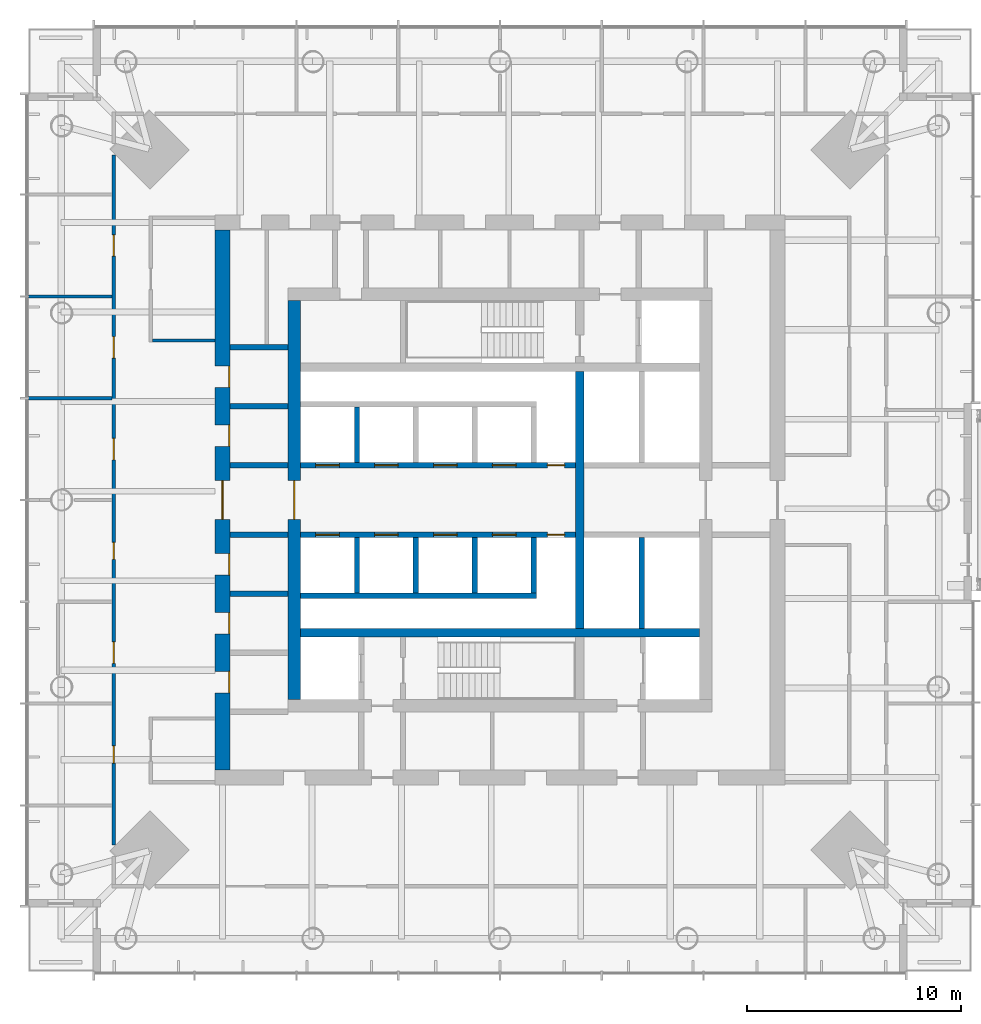
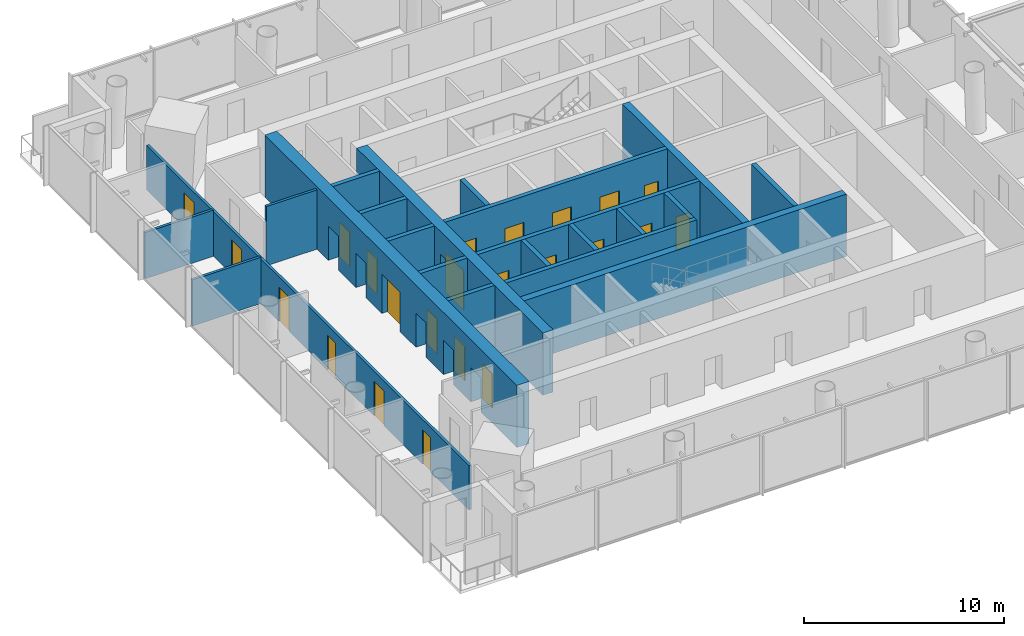
# One storey, part 13 of 19: 23 doors, 22 walls, 23 openings.
"""IFC4 building model written with IfcOpenShell, lengths in metres."""

from ifc_helpers import new_model, si_unit, direction, frame, frame_2d, origin, place, context, subcontext, project, spatial, rectangle, extrude, material, layer, layer_set, type_object, element, fill, save


model = new_model("IFC4")

# Units and contexts
model_context = context("Model", 3, precision=1e-05, world=origin(), true_north=direction((0.0, 1.0)))
body_context = subcontext(model_context, "Body", "Model", "MODEL_VIEW")
ifc_project = project(units=[si_unit("LENGTHUNIT", "METRE"), si_unit("AREAUNIT", "SQUARE_METRE"), si_unit("VOLUMEUNIT", "CUBIC_METRE"), si_unit("PLANEANGLEUNIT", "RADIAN"), si_unit("MASSUNIT", "GRAM", prefix="KILO")], contexts=[model_context])

# Site, building, storey
site_placement = place(None, origin())
site = spatial("IfcSite", under=ifc_project, at=site_placement, CompositionType="ELEMENT")
building_placement = place(site_placement, origin())
building = spatial("IfcBuilding", under=site, at=building_placement, Name="Ostroluk Exchange", CompositionType="ELEMENT")
storey_placement = place(building_placement, frame((0.0, 0.0, 131.199951171875)))
storey = spatial("IfcBuildingStorey", under=building, at=storey_placement, Name="L33", CompositionType="ELEMENT", Elevation=131.199951171875)

# Walls
ifc_material_1 = material(Name="Concrete C50/60", Category="concrete")
ifc_layer_1 = layer(ifc_material_1, 0.39990234375)
ifc_layer_set_1 = layer_set([ifc_layer_1], Name="Core cross wall 400 C50/60")
wall_type_1 = type_object("IfcWallType", Name="Core cross wall 400 C50/60", PredefinedType="SHEAR", material=ifc_layer_set_1)
wall_1_placement = place(storey_placement, frame((35.699951171875, 39.800048828125, 0.0), z_axis=(0.0, 0.0, 1.0), x_axis=(1.0, 0.0, 0.0)))
element("IfcWall", 1, at=wall_1_placement, inside=storey, type_object=wall_type_1, Name="T1 core wall XS", PredefinedType="SHEAR", context=body_context, shape_type="SweptSolid", body=[
    extrude(rectangle(XDim=18.60009765625, YDim=0.39990234375, at=frame_2d((9.300048828125, 0.0))), origin(), (0.0, 0.0, 1.0), 3.800048828125),
])
wall_2_placement = place(storey_placement, frame((48.72998046875, 40.0, 0.0), z_axis=(0.0, 0.0, 1.0), x_axis=(0.0, 1.0, 0.0)))
element("IfcWall", 2, at=wall_2_placement, inside=storey, type_object=wall_type_1, Name="T1 core wall YE2", PredefinedType="SHEAR", context=body_context, shape_type="SweptSolid", body=[
    extrude(rectangle(XDim=12.0, YDim=0.39990234375, at=frame_2d((6.0, 0.0))), origin(), (0.0, 0.0, 1.0), 3.800048828125),
])
ifc_material_2 = material(Name="Concrete C40/50", Category="concrete")
ifc_layer_2 = layer(ifc_material_2, 0.25)
ifc_layer_set_2 = layer_set([ifc_layer_2], Name="Core shaft wall 250")
wall_type_2 = type_object("IfcWallType", Name="Core shaft wall 250", PredefinedType="SHEAR", material=ifc_layer_set_2)
wall_3_placement = place(storey_placement, frame((38.324951171875, 47.75, 0.0), z_axis=(0.0, 0.0, 1.0), x_axis=(0.0, 1.0, 0.0)))
element("IfcWall", 3, at=wall_3_placement, inside=storey, type_object=wall_type_2, Name="Lift shaft wall", PredefinedType="SHEAR", context=body_context, shape_type="SweptSolid", body=[
    extrude(rectangle(XDim=2.60009765625, YDim=0.25, at=frame_2d((1.300048828125, 0.0))), origin(), (0.0, 0.0, 1.0), 3.800048828125),
])

# Wall, openings, doors
wall_4_placement = place(storey_placement, frame((35.699951171875, 47.625, 0.0), z_axis=(0.0, 0.0, 1.0), x_axis=(1.0, 0.0, 0.0)))
wall_4 = element("IfcWall", 4, at=wall_4_placement, inside=storey, type_object=wall_type_2, Name="Lift shaft front wall", PredefinedType="SHEAR", context=body_context, shape_type="SweptSolid", body=[
    extrude(rectangle(XDim=12.830078125, YDim=0.25, at=frame_2d((6.4150390625, 0.0))), origin(), (0.0, 0.0, 1.0), 3.800048828125),
])
opening_1_placement = place(wall_4_placement, frame((0.699951171875, 0.0, 0.0)))
opening_1 = element("IfcOpeningElement", 5, at=opening_1_placement, cuts=wall_4, Name="Opening LD", PredefinedType="OPENING", context=body_context, shape_type="SweptSolid", body=[
    extrude(rectangle(XDim=1.10009765625, YDim=2.199951171875, at=frame_2d((0.550048828125, 1.10009765625))), frame((0.0, 0.135009765625, 0.0), z_axis=(0.0, -1.0, 0.0), x_axis=(1.0, 0.0, 0.0)), (0.0, 0.0, 1.0), 0.27001953125),
])
opening_2_placement = place(wall_4_placement, frame((3.449951171875, 0.0, 0.0)))
opening_2 = element("IfcOpeningElement", 6, at=opening_2_placement, cuts=wall_4, Name="Opening LD", PredefinedType="OPENING", context=body_context, shape_type="SweptSolid", body=[
    extrude(rectangle(XDim=1.10009765625, YDim=2.199951171875, at=frame_2d((0.550048828125, 1.10009765625))), frame((0.0, 0.135009765625, 0.0), z_axis=(0.0, -1.0, 0.0), x_axis=(1.0, 0.0, 0.0)), (0.0, 0.0, 1.0), 0.27001953125),
])
opening_3_placement = place(wall_4_placement, frame((6.199951171875, 0.0, 0.0)))
opening_3 = element("IfcOpeningElement", 7, at=opening_3_placement, cuts=wall_4, Name="Opening LD", PredefinedType="OPENING", context=body_context, shape_type="SweptSolid", body=[
    extrude(rectangle(XDim=1.10009765625, YDim=2.199951171875, at=frame_2d((0.550048828125, 1.10009765625))), frame((0.0, 0.135009765625, 0.0), z_axis=(0.0, -1.0, 0.0), x_axis=(1.0, 0.0, 0.0)), (0.0, 0.0, 1.0), 0.27001953125),
])
opening_4_placement = place(wall_4_placement, frame((8.949951171875, 0.0, 0.0)))
opening_4 = element("IfcOpeningElement", 8, at=opening_4_placement, cuts=wall_4, Name="Opening LD", PredefinedType="OPENING", context=body_context, shape_type="SweptSolid", body=[
    extrude(rectangle(XDim=1.10009765625, YDim=2.199951171875, at=frame_2d((0.550048828125, 1.10009765625))), frame((0.0, 0.135009765625, 0.0), z_axis=(0.0, -1.0, 0.0), x_axis=(1.0, 0.0, 0.0)), (0.0, 0.0, 1.0), 0.27001953125),
])
opening_5_placement = place(wall_4_placement, frame((11.514892578125, 0.0, 0.0)))
opening_5 = element("IfcOpeningElement", 9, at=opening_5_placement, cuts=wall_4, Name="Opening RD60", PredefinedType="OPENING", context=body_context, shape_type="SweptSolid", body=[
    extrude(rectangle(XDim=0.800048828125, YDim=2.0, at=frame_2d((0.39990234375, 1.0))), frame((0.0, 0.135009765625, 0.0), z_axis=(0.0, -1.0, 0.0), x_axis=(1.0, 0.0, 0.0)), (0.0, 0.0, 1.0), 0.27001953125),
])
ifc_material_3 = material(Name="Stainless steel", Category="steel")
door_type_1 = type_object("IfcDoorType", Name="Lift landing door E 60 1100 x 2200", OperationType="DOUBLE_DOOR_SLIDING", PredefinedType="DOOR", material=ifc_material_3)
door_1_placement = place(opening_1_placement, origin())
door_1 = element("IfcDoor", 10, at=door_1_placement, inside=storey, type_object=door_type_1, Name="Lift PL-M1 landing door", OperationType="DOUBLE_DOOR_SLIDING", OverallHeight=2.199951171875, OverallWidth=1.10009765625, PredefinedType="DOOR", context=body_context, shape_type="SweptSolid", body=[
    extrude(rectangle(XDim=1.10009765625, YDim=2.199951171875, at=frame_2d((0.550048828125, 1.10009765625))), frame((0.0, 0.02490234375, 0.0), z_axis=(0.0, -1.0, 0.0), x_axis=(1.0, 0.0, 0.0)), (0.0, 0.0, 1.0), 0.050048828125),
])
fill(opening_1, door_1)
door_2_placement = place(opening_2_placement, origin())
door_2 = element("IfcDoor", 11, at=door_2_placement, inside=storey, type_object=door_type_1, Name="Lift PL-M2 landing door", OperationType="DOUBLE_DOOR_SLIDING", OverallHeight=2.199951171875, OverallWidth=1.10009765625, PredefinedType="DOOR", context=body_context, shape_type="SweptSolid", body=[
    extrude(rectangle(XDim=1.10009765625, YDim=2.199951171875, at=frame_2d((0.550048828125, 1.10009765625))), frame((0.0, 0.02490234375, 0.0), z_axis=(0.0, -1.0, 0.0), x_axis=(1.0, 0.0, 0.0)), (0.0, 0.0, 1.0), 0.050048828125),
])
fill(opening_2, door_2)
door_3_placement = place(opening_3_placement, origin())
door_3 = element("IfcDoor", 12, at=door_3_placement, inside=storey, type_object=door_type_1, Name="Lift PL-M3 landing door", OperationType="DOUBLE_DOOR_SLIDING", OverallHeight=2.199951171875, OverallWidth=1.10009765625, PredefinedType="DOOR", context=body_context, shape_type="SweptSolid", body=[
    extrude(rectangle(XDim=1.10009765625, YDim=2.199951171875, at=frame_2d((0.550048828125, 1.10009765625))), frame((0.0, 0.02490234375, 0.0), z_axis=(0.0, -1.0, 0.0), x_axis=(1.0, 0.0, 0.0)), (0.0, 0.0, 1.0), 0.050048828125),
])
fill(opening_3, door_3)
door_4_placement = place(opening_4_placement, origin())
door_4 = element("IfcDoor", 13, at=door_4_placement, inside=storey, type_object=door_type_1, Name="Lift PL-M4 landing door", OperationType="DOUBLE_DOOR_SLIDING", OverallHeight=2.199951171875, OverallWidth=1.10009765625, PredefinedType="DOOR", context=body_context, shape_type="SweptSolid", body=[
    extrude(rectangle(XDim=1.10009765625, YDim=2.199951171875, at=frame_2d((0.550048828125, 1.10009765625))), frame((0.0, 0.02490234375, 0.0), z_axis=(0.0, -1.0, 0.0), x_axis=(1.0, 0.0, 0.0)), (0.0, 0.0, 1.0), 0.050048828125),
])
fill(opening_4, door_4)
ifc_material_4 = material(Name="Steel", Category="steel")
door_type_2 = type_object("IfcDoorType", Name="Riser access door EI 60 800 x 2000", OperationType="SINGLE_SWING_LEFT", PredefinedType="DOOR", material=ifc_material_4)
door_5_placement = place(opening_5_placement, origin())
door_5 = element("IfcDoor", 14, at=door_5_placement, inside=storey, type_object=door_type_2, Name="Riser access door", OperationType="SINGLE_SWING_RIGHT", OverallHeight=2.0, OverallWidth=0.800048828125, PredefinedType="DOOR", context=body_context, shape_type="SweptSolid", body=[
    extrude(rectangle(XDim=0.800048828125, YDim=2.0, at=frame_2d((0.39990234375, 1.0))), frame((0.0, 0.02490234375, 0.0), z_axis=(0.0, -1.0, 0.0), x_axis=(1.0, 0.0, 0.0)), (0.0, 0.0, 1.0), 0.050048828125),
])
fill(opening_5, door_5)

# Walls
for number, where, z_axis, x_axis, name in (
    (15, (38.324951171875, 44.25, 0.0), (0.0, 0.0, 1.0), (0.0, -1.0, 0.0), "Lift shaft wall"),
    (16, (41.074951171875, 44.25, 0.0), (0.0, 0.0, 1.0), (0.0, -1.0, 0.0), "Lift shaft wall"),
    (17, (43.824951171875, 44.25, 0.0), (0.0, 0.0, 1.0), (0.0, -1.0, 0.0), "Lift shaft wall"),
    (18, (46.574951171875, 44.25, 0.0), (0.0, 0.0, 1.0), (0.0, -1.0, 0.0), "Lift shaft wall"),
):
    element("IfcWall", number, at=place(storey_placement, frame(where, z_axis=z_axis, x_axis=x_axis)), inside=storey, type_object=wall_type_2, Name=name, PredefinedType="SHEAR", context=body_context, shape_type="SweptSolid", body=[
        extrude(rectangle(XDim=2.60009765625, YDim=0.25, at=frame_2d((1.300048828125, 0.0))), origin(), (0.0, 0.0, 1.0), 3.800048828125),
    ])
wall_5_placement = place(storey_placement, frame((35.699951171875, 41.52490234375, 0.0), z_axis=(0.0, 0.0, 1.0), x_axis=(1.0, 0.0, 0.0)))
element("IfcWall", 19, at=wall_5_placement, inside=storey, type_object=wall_type_2, Name="Lift shaft wall", PredefinedType="SHEAR", context=body_context, shape_type="SweptSolid", body=[
    extrude(rectangle(XDim=11.0, YDim=0.25, at=frame_2d((5.5, 0.0))), origin(), (0.0, 0.0, 1.0), 3.800048828125),
])

# Wall, openings, doors
wall_6_placement = place(storey_placement, frame((35.699951171875, 44.375, 0.0), z_axis=(0.0, 0.0, 1.0), x_axis=(1.0, 0.0, 0.0)))
wall_6 = element("IfcWall", 20, at=wall_6_placement, inside=storey, type_object=wall_type_2, Name="Lift shaft front wall", PredefinedType="SHEAR", context=body_context, shape_type="SweptSolid", body=[
    extrude(rectangle(XDim=12.830078125, YDim=0.25, at=frame_2d((6.4150390625, 0.0))), origin(), (0.0, 0.0, 1.0), 3.800048828125),
])
opening_6_placement = place(wall_6_placement, frame((0.699951171875, 0.0, 0.0)))
opening_6 = element("IfcOpeningElement", 21, at=opening_6_placement, cuts=wall_6, Name="Opening LD", PredefinedType="OPENING", context=body_context, shape_type="SweptSolid", body=[
    extrude(rectangle(XDim=1.10009765625, YDim=2.199951171875, at=frame_2d((0.550048828125, 1.10009765625))), frame((0.0, 0.135009765625, 0.0), z_axis=(0.0, -1.0, 0.0), x_axis=(1.0, 0.0, 0.0)), (0.0, 0.0, 1.0), 0.27001953125),
])
opening_7_placement = place(wall_6_placement, frame((3.449951171875, 0.0, 0.0)))
opening_7 = element("IfcOpeningElement", 22, at=opening_7_placement, cuts=wall_6, Name="Opening LD", PredefinedType="OPENING", context=body_context, shape_type="SweptSolid", body=[
    extrude(rectangle(XDim=1.10009765625, YDim=2.199951171875, at=frame_2d((0.550048828125, 1.10009765625))), frame((0.0, 0.135009765625, 0.0), z_axis=(0.0, -1.0, 0.0), x_axis=(1.0, 0.0, 0.0)), (0.0, 0.0, 1.0), 0.27001953125),
])
opening_8_placement = place(wall_6_placement, frame((6.199951171875, 0.0, 0.0)))
opening_8 = element("IfcOpeningElement", 23, at=opening_8_placement, cuts=wall_6, Name="Opening LD", PredefinedType="OPENING", context=body_context, shape_type="SweptSolid", body=[
    extrude(rectangle(XDim=1.10009765625, YDim=2.199951171875, at=frame_2d((0.550048828125, 1.10009765625))), frame((0.0, 0.135009765625, 0.0), z_axis=(0.0, -1.0, 0.0), x_axis=(1.0, 0.0, 0.0)), (0.0, 0.0, 1.0), 0.27001953125),
])
opening_9_placement = place(wall_6_placement, frame((8.949951171875, 0.0, 0.0)))
opening_9 = element("IfcOpeningElement", 24, at=opening_9_placement, cuts=wall_6, Name="Opening LD", PredefinedType="OPENING", context=body_context, shape_type="SweptSolid", body=[
    extrude(rectangle(XDim=1.10009765625, YDim=2.199951171875, at=frame_2d((0.550048828125, 1.10009765625))), frame((0.0, 0.135009765625, 0.0), z_axis=(0.0, -1.0, 0.0), x_axis=(1.0, 0.0, 0.0)), (0.0, 0.0, 1.0), 0.27001953125),
])
opening_10_placement = place(wall_6_placement, frame((11.514892578125, 0.0, 0.0)))
opening_10 = element("IfcOpeningElement", 25, at=opening_10_placement, cuts=wall_6, Name="Opening RD60", PredefinedType="OPENING", context=body_context, shape_type="SweptSolid", body=[
    extrude(rectangle(XDim=0.800048828125, YDim=2.0, at=frame_2d((0.39990234375, 1.0))), frame((0.0, 0.135009765625, 0.0), z_axis=(0.0, -1.0, 0.0), x_axis=(1.0, 0.0, 0.0)), (0.0, 0.0, 1.0), 0.27001953125),
])
door_6_placement = place(opening_6_placement, origin())
door_6 = element("IfcDoor", 26, at=door_6_placement, inside=storey, type_object=door_type_1, Name="Lift PL-M5 landing door", OperationType="DOUBLE_DOOR_SLIDING", OverallHeight=2.199951171875, OverallWidth=1.10009765625, PredefinedType="DOOR", context=body_context, shape_type="SweptSolid", body=[
    extrude(rectangle(XDim=1.10009765625, YDim=2.199951171875, at=frame_2d((0.550048828125, 1.10009765625))), frame((0.0, 0.02490234375, 0.0), z_axis=(0.0, -1.0, 0.0), x_axis=(1.0, 0.0, 0.0)), (0.0, 0.0, 1.0), 0.050048828125),
])
fill(opening_6, door_6)
door_7_placement = place(opening_7_placement, origin())
door_7 = element("IfcDoor", 27, at=door_7_placement, inside=storey, type_object=door_type_1, Name="Lift PL-M6 landing door", OperationType="DOUBLE_DOOR_SLIDING", OverallHeight=2.199951171875, OverallWidth=1.10009765625, PredefinedType="DOOR", context=body_context, shape_type="SweptSolid", body=[
    extrude(rectangle(XDim=1.10009765625, YDim=2.199951171875, at=frame_2d((0.550048828125, 1.10009765625))), frame((0.0, 0.02490234375, 0.0), z_axis=(0.0, -1.0, 0.0), x_axis=(1.0, 0.0, 0.0)), (0.0, 0.0, 1.0), 0.050048828125),
])
fill(opening_7, door_7)
door_8_placement = place(opening_8_placement, origin())
door_8 = element("IfcDoor", 28, at=door_8_placement, inside=storey, type_object=door_type_1, Name="Lift PL-M7 landing door", OperationType="DOUBLE_DOOR_SLIDING", OverallHeight=2.199951171875, OverallWidth=1.10009765625, PredefinedType="DOOR", context=body_context, shape_type="SweptSolid", body=[
    extrude(rectangle(XDim=1.10009765625, YDim=2.199951171875, at=frame_2d((0.550048828125, 1.10009765625))), frame((0.0, 0.02490234375, 0.0), z_axis=(0.0, -1.0, 0.0), x_axis=(1.0, 0.0, 0.0)), (0.0, 0.0, 1.0), 0.050048828125),
])
fill(opening_8, door_8)
door_9_placement = place(opening_9_placement, origin())
door_9 = element("IfcDoor", 29, at=door_9_placement, inside=storey, type_object=door_type_1, Name="Lift PL-M8 landing door", OperationType="DOUBLE_DOOR_SLIDING", OverallHeight=2.199951171875, OverallWidth=1.10009765625, PredefinedType="DOOR", context=body_context, shape_type="SweptSolid", body=[
    extrude(rectangle(XDim=1.10009765625, YDim=2.199951171875, at=frame_2d((0.550048828125, 1.10009765625))), frame((0.0, 0.02490234375, 0.0), z_axis=(0.0, -1.0, 0.0), x_axis=(1.0, 0.0, 0.0)), (0.0, 0.0, 1.0), 0.050048828125),
])
fill(opening_9, door_9)
door_10_placement = place(opening_10_placement, origin())
door_10 = element("IfcDoor", 30, at=door_10_placement, inside=storey, type_object=door_type_2, Name="Riser access door", OperationType="SINGLE_SWING_RIGHT", OverallHeight=2.0, OverallWidth=0.800048828125, PredefinedType="DOOR", context=body_context, shape_type="SweptSolid", body=[
    extrude(rectangle(XDim=0.800048828125, YDim=2.0, at=frame_2d((0.39990234375, 1.0))), frame((0.0, 0.02490234375, 0.0), z_axis=(0.0, -1.0, 0.0), x_axis=(1.0, 0.0, 0.0)), (0.0, 0.0, 1.0), 0.050048828125),
])
fill(opening_10, door_10)

# Walls
wall_7_placement = place(storey_placement, frame((51.614990234375, 44.25, 0.0), z_axis=(0.0, 0.0, 1.0), x_axis=(0.0, -1.0, 0.0)))
element("IfcWall", 31, at=wall_7_placement, inside=storey, type_object=wall_type_2, Name="Lift shaft wall", PredefinedType="SHEAR", context=body_context, shape_type="SweptSolid", body=[
    extrude(rectangle(XDim=4.25, YDim=0.25, at=frame_2d((2.125, 0.0))), origin(), (0.0, 0.0, 1.0), 3.800048828125),
])
for number, where, z_axis, x_axis, name in (
    (32, (32.39990234375, 41.625, 0.0), (0.0, 0.0, 1.0), (1.0, 0.0, 0.0), "Lift shaft wall"),
    (33, (32.39990234375, 44.375, 0.0), (0.0, 0.0, 1.0), (1.0, 0.0, 0.0), "Lift shaft wall"),
    (34, (32.39990234375, 47.625, 0.0), (0.0, 0.0, 1.0), (1.0, 0.0, 0.0), "Lift shaft wall"),
    (35, (32.39990234375, 50.375, 0.0), (0.0, 0.0, 1.0), (1.0, 0.0, 0.0), "Lift shaft wall"),
    (36, (32.39990234375, 53.125, 0.0), (0.0, 0.0, 1.0), (1.0, 0.0, 0.0), "Lift shaft wall"),
):
    element("IfcWall", number, at=place(storey_placement, frame(where, z_axis=z_axis, x_axis=x_axis)), inside=storey, type_object=wall_type_2, Name=name, PredefinedType="SHEAR", context=body_context, shape_type="SweptSolid", body=[
        extrude(rectangle(XDim=2.7001953125, YDim=0.25, at=frame_2d((1.35009765625, 0.0))), origin(), (0.0, 0.0, 1.0), 3.800048828125),
    ])

# Wall, opening, door
ifc_material_5 = material(Name="Concrete C50/60", Category="concrete")
ifc_layer_3 = layer(ifc_material_5, 0.60009765625)
ifc_layer_set_3 = layer_set([ifc_layer_3], Name="Core wall 600 C50/60")
wall_type_3 = type_object("IfcWallType", Name="Core wall 600 C50/60", PredefinedType="SHEAR", material=ifc_layer_set_3)
wall_8_placement = place(storey_placement, frame((35.39990234375, 36.699951171875, 0.0), z_axis=(0.0, 0.0, 1.0), x_axis=(0.0, 1.0, 0.0)))
wall_8 = element("IfcWall", 37, at=wall_8_placement, inside=storey, type_object=wall_type_3, Name="T1 core wall W", PredefinedType="SHEAR", context=body_context, shape_type="SweptSolid", body=[
    extrude(rectangle(XDim=18.60009765625, YDim=0.60009765625, at=frame_2d((9.300048828125, 0.0))), origin(), (0.0, 0.0, 1.0), 3.800048828125),
])
opening_11_placement = place(wall_8_placement, frame((8.39990234375, 0.0, 0.0)))
opening_11 = element("IfcOpeningElement", 38, at=opening_11_placement, cuts=wall_8, Name="Opening FD30D", PredefinedType="OPENING", context=body_context, shape_type="SweptSolid", body=[
    extrude(rectangle(XDim=1.800048828125, YDim=2.39990234375, at=frame_2d((0.89990234375, 1.199951171875))), frame((0.0, 0.31005859375, 0.0), z_axis=(0.0, -1.0, 0.0), x_axis=(1.0, 0.0, 0.0)), (0.0, 0.0, 1.0), 0.6201171875),
])
ifc_material_6 = material(Name="Timber", Category="wood")
door_type_3 = type_object("IfcDoorType", Name="Lobby double door EI 30 1800 x 2400", OperationType="DOUBLE_DOOR_SINGLE_SWING", PredefinedType="DOOR", material=ifc_material_6)
door_11_placement = place(opening_11_placement, origin())
door_11 = element("IfcDoor", 39, at=door_11_placement, inside=storey, type_object=door_type_3, Name="Lift lobby doors", OperationType="DOUBLE_DOOR_SINGLE_SWING", OverallHeight=2.39990234375, OverallWidth=1.800048828125, PredefinedType="DOOR", context=body_context, shape_type="SweptSolid", body=[
    extrude(rectangle(XDim=1.800048828125, YDim=2.39990234375, at=frame_2d((0.89990234375, 1.199951171875))), frame((0.0, 0.02490234375, 0.0), z_axis=(0.0, -1.0, 0.0), x_axis=(1.0, 0.0, 0.0)), (0.0, 0.0, 1.0), 0.050048828125),
])
fill(opening_11, door_11)

# Wall, openings, doors
ifc_material_7 = material(Name="Concrete C50/60", Category="concrete")
ifc_layer_4 = layer(ifc_material_7, 0.699951171875)
ifc_layer_set_4 = layer_set([ifc_layer_4], Name="Core wall 700 C50/60")
wall_type_4 = type_object("IfcWallType", Name="Core wall 700 C50/60", PredefinedType="SHEAR", material=ifc_layer_set_4)
wall_9_placement = place(storey_placement, frame((32.050048828125, 33.39990234375, 0.0), z_axis=(0.0, 0.0, 1.0), x_axis=(0.0, 1.0, 0.0)))
wall_9 = element("IfcWall", 40, at=wall_9_placement, inside=storey, type_object=wall_type_4, Name="T1 core wall RW", PredefinedType="SHEAR", context=body_context, shape_type="SweptSolid", body=[
    extrude(rectangle(XDim=25.2001953125, YDim=0.699951171875, at=frame_2d((12.60009765625, 0.0))), origin(), (0.0, 0.0, 1.0), 3.800048828125),
])
opening_12_placement = place(wall_9_placement, frame((11.699951171875, 0.0, 0.0)))
opening_12 = element("IfcOpeningElement", 41, at=opening_12_placement, cuts=wall_9, Name="Opening FD30D", PredefinedType="OPENING", context=body_context, shape_type="SweptSolid", body=[
    extrude(rectangle(XDim=1.800048828125, YDim=2.39990234375, at=frame_2d((0.89990234375, 1.199951171875))), frame((0.0, 0.35986328125, 0.0), z_axis=(0.0, -1.0, 0.0), x_axis=(1.0, 0.0, 0.0)), (0.0, 0.0, 1.0), 0.719970703125),
])
opening_13_placement = place(wall_9_placement, frame((3.60009765625, 0.0, 0.0)))
opening_13 = element("IfcOpeningElement", 42, at=opening_13_placement, cuts=wall_9, Name="Opening FD60", PredefinedType="OPENING", context=body_context, shape_type="SweptSolid", body=[
    extrude(rectangle(XDim=1.0, YDim=2.10009765625, at=frame_2d((0.5, 1.050048828125))), frame((0.0, 0.35986328125, 0.0), z_axis=(0.0, -1.0, 0.0), x_axis=(1.0, 0.0, 0.0)), (0.0, 0.0, 1.0), 0.719970703125),
])
opening_14_placement = place(wall_9_placement, frame((6.35009765625, 0.0, 0.0)))
opening_14 = element("IfcOpeningElement", 43, at=opening_14_placement, cuts=wall_9, Name="Opening FD60", PredefinedType="OPENING", context=body_context, shape_type="SweptSolid", body=[
    extrude(rectangle(XDim=1.0, YDim=2.10009765625, at=frame_2d((0.5, 1.050048828125))), frame((0.0, 0.35986328125, 0.0), z_axis=(0.0, -1.0, 0.0), x_axis=(1.0, 0.0, 0.0)), (0.0, 0.0, 1.0), 0.719970703125),
])
opening_15_placement = place(wall_9_placement, frame((9.10009765625, 0.0, 0.0)))
opening_15 = element("IfcOpeningElement", 44, at=opening_15_placement, cuts=wall_9, Name="Opening FD60", PredefinedType="OPENING", context=body_context, shape_type="SweptSolid", body=[
    extrude(rectangle(XDim=1.0, YDim=2.10009765625, at=frame_2d((0.5, 1.050048828125))), frame((0.0, 0.35986328125, 0.0), z_axis=(0.0, -1.0, 0.0), x_axis=(1.0, 0.0, 0.0)), (0.0, 0.0, 1.0), 0.719970703125),
])
opening_16_placement = place(wall_9_placement, frame((15.10009765625, 0.0, 0.0)))
opening_16 = element("IfcOpeningElement", 45, at=opening_16_placement, cuts=wall_9, Name="Opening FD60", PredefinedType="OPENING", context=body_context, shape_type="SweptSolid", body=[
    extrude(rectangle(XDim=1.0, YDim=2.10009765625, at=frame_2d((0.5, 1.050048828125))), frame((0.0, 0.35986328125, 0.0), z_axis=(0.0, -1.0, 0.0), x_axis=(1.0, 0.0, 0.0)), (0.0, 0.0, 1.0), 0.719970703125),
])
opening_17_placement = place(wall_9_placement, frame((17.85009765625, 0.0, 0.0)))
opening_17 = element("IfcOpeningElement", 46, at=opening_17_placement, cuts=wall_9, Name="Opening FD60", PredefinedType="OPENING", context=body_context, shape_type="SweptSolid", body=[
    extrude(rectangle(XDim=1.0, YDim=2.10009765625, at=frame_2d((0.5, 1.050048828125))), frame((0.0, 0.35986328125, 0.0), z_axis=(0.0, -1.0, 0.0), x_axis=(1.0, 0.0, 0.0)), (0.0, 0.0, 1.0), 0.719970703125),
])
ifc_material_8 = material(Name="Steel", Category="steel")
door_type_4 = type_object("IfcDoorType", Name="Fire door EI 60 1000 x 2100", OperationType="SINGLE_SWING_LEFT", PredefinedType="DOOR", material=ifc_material_8)
door_12_placement = place(opening_13_placement, origin())
door_12 = element("IfcDoor", 47, at=door_12_placement, inside=storey, type_object=door_type_4, Name="Comms room door", OperationType="SINGLE_SWING_LEFT", OverallHeight=2.10009765625, OverallWidth=1.0, PredefinedType="DOOR", context=body_context, shape_type="SweptSolid", body=[
    extrude(rectangle(XDim=1.0, YDim=2.10009765625, at=frame_2d((0.5, 1.050048828125))), frame((0.0, -0.2900390625, 0.0), z_axis=(0.0, -1.0, 0.0), x_axis=(1.0, 0.0, 0.0)), (0.0, 0.0, 1.0), 0.050048828125),
])
fill(opening_13, door_12)
door_13_placement = place(opening_14_placement, origin())
door_13 = element("IfcDoor", 48, at=door_13_placement, inside=storey, type_object=door_type_4, Name="Tenant IT room door", OperationType="SINGLE_SWING_LEFT", OverallHeight=2.10009765625, OverallWidth=1.0, PredefinedType="DOOR", context=body_context, shape_type="SweptSolid", body=[
    extrude(rectangle(XDim=1.0, YDim=2.10009765625, at=frame_2d((0.5, 1.050048828125))), frame((0.0, -0.2900390625, 0.0), z_axis=(0.0, -1.0, 0.0), x_axis=(1.0, 0.0, 0.0)), (0.0, 0.0, 1.0), 0.050048828125),
])
fill(opening_14, door_13)
door_14_placement = place(opening_15_placement, origin())
door_14 = element("IfcDoor", 49, at=door_14_placement, inside=storey, type_object=door_type_4, Name="Comms room door", OperationType="SINGLE_SWING_LEFT", OverallHeight=2.10009765625, OverallWidth=1.0, PredefinedType="DOOR", context=body_context, shape_type="SweptSolid", body=[
    extrude(rectangle(XDim=1.0, YDim=2.10009765625, at=frame_2d((0.5, 1.050048828125))), frame((0.0, -0.2900390625, 0.0), z_axis=(0.0, -1.0, 0.0), x_axis=(1.0, 0.0, 0.0)), (0.0, 0.0, 1.0), 0.050048828125),
])
fill(opening_15, door_14)
door_15_placement = place(opening_16_placement, origin())
door_15 = element("IfcDoor", 50, at=door_15_placement, inside=storey, type_object=door_type_4, Name="Tenant IT room door", OperationType="SINGLE_SWING_RIGHT", OverallHeight=2.10009765625, OverallWidth=1.0, PredefinedType="DOOR", context=body_context, shape_type="SweptSolid", body=[
    extrude(rectangle(XDim=1.0, YDim=2.10009765625, at=frame_2d((0.5, 1.050048828125))), frame((0.0, -0.2900390625, 0.0), z_axis=(0.0, -1.0, 0.0), x_axis=(1.0, 0.0, 0.0)), (0.0, 0.0, 1.0), 0.050048828125),
])
fill(opening_16, door_15)
door_16_placement = place(opening_17_placement, origin())
door_16 = element("IfcDoor", 51, at=door_16_placement, inside=storey, type_object=door_type_4, Name="Comms room door", OperationType="SINGLE_SWING_RIGHT", OverallHeight=2.10009765625, OverallWidth=1.0, PredefinedType="DOOR", context=body_context, shape_type="SweptSolid", body=[
    extrude(rectangle(XDim=1.0, YDim=2.10009765625, at=frame_2d((0.5, 1.050048828125))), frame((0.0, -0.2900390625, 0.0), z_axis=(0.0, -1.0, 0.0), x_axis=(1.0, 0.0, 0.0)), (0.0, 0.0, 1.0), 0.050048828125),
])
fill(opening_17, door_16)
door_17_placement = place(opening_12_placement, origin())
door_17 = element("IfcDoor", 52, at=door_17_placement, inside=storey, type_object=door_type_3, Name="Lift lobby doors", OperationType="DOUBLE_DOOR_SINGLE_SWING", OverallHeight=2.39990234375, OverallWidth=1.800048828125, PredefinedType="DOOR", context=body_context, shape_type="SweptSolid", body=[
    extrude(rectangle(XDim=1.800048828125, YDim=2.39990234375, at=frame_2d((0.89990234375, 1.199951171875))), frame((0.0, 0.02490234375, 0.0), z_axis=(0.0, -1.0, 0.0), x_axis=(1.0, 0.0, 0.0)), (0.0, 0.0, 1.0), 0.050048828125),
])
fill(opening_12, door_17)

# Wall
ifc_material_9 = material(Name="Gypsum plasterboard partition", Category="gypsum")
ifc_layer_5 = layer(ifc_material_9, 0.14990234375)
ifc_layer_set_5 = layer_set([ifc_layer_5], Name="Plasterboard partition 150")
wall_type_5 = type_object("IfcWallType", Name="Plasterboard partition 150", PredefinedType="PARTITIONING", material=ifc_layer_set_5)
wall_10_placement = place(storey_placement, frame((31.699951171875, 53.449951171875, 0.0), z_axis=(0.0, 0.0, 1.0), x_axis=(-1.0, 0.0, 0.0)))
element("IfcWall", 53, at=wall_10_placement, inside=storey, type_object=wall_type_5, Name="Partition", PredefinedType="PARTITIONING", context=body_context, shape_type="SweptSolid", body=[
    extrude(rectangle(XDim=2.925048828125, YDim=0.14990234375, at=frame_2d((1.46240234375, 0.0))), origin(), (0.0, 0.0, 1.0), 3.6201171875),
])

# Wall, openings, doors
wall_11_placement = place(storey_placement, frame((26.97509765625, 62.111572265625, 0.0), z_axis=(0.0, 0.0, 1.0), x_axis=(0.0, -1.0, 0.0)))
wall_11 = element("IfcWall", 54, at=wall_11_placement, inside=storey, type_object=wall_type_5, Name="Partition", PredefinedType="PARTITIONING", context=body_context, shape_type="SweptSolid", body=[
    extrude(rectangle(XDim=32.22314453125, YDim=0.14990234375, at=frame_2d((16.111572265625, 0.0))), origin(), (0.0, 0.0, 1.0), 2.719970703125),
])
opening_18_placement = place(wall_11_placement, frame((3.736572265625, 0.0, 0.0)))
opening_18 = element("IfcOpeningElement", 55, at=opening_18_placement, cuts=wall_11, Name="Opening D-03", PredefinedType="OPENING", context=body_context, shape_type="SweptSolid", body=[
    extrude(rectangle(XDim=1.0, YDim=2.10009765625, at=frame_2d((0.5, 1.050048828125))), frame((0.0, 0.0849609375, 0.0), z_axis=(0.0, -1.0, 0.0), x_axis=(1.0, 0.0, 0.0)), (0.0, 0.0, 1.0), 0.169921875),
])
opening_19_placement = place(wall_11_placement, frame((8.486572265625, 0.0, 0.0)))
opening_19 = element("IfcOpeningElement", 56, at=opening_19_placement, cuts=wall_11, Name="Opening D-03", PredefinedType="OPENING", context=body_context, shape_type="SweptSolid", body=[
    extrude(rectangle(XDim=1.0, YDim=2.10009765625, at=frame_2d((0.5, 1.050048828125))), frame((0.0, 0.0849609375, 0.0), z_axis=(0.0, -1.0, 0.0), x_axis=(1.0, 0.0, 0.0)), (0.0, 0.0, 1.0), 0.169921875),
])
opening_20_placement = place(wall_11_placement, frame((13.236572265625, 0.0, 0.0)))
opening_20 = element("IfcOpeningElement", 57, at=opening_20_placement, cuts=wall_11, Name="Opening D-03", PredefinedType="OPENING", context=body_context, shape_type="SweptSolid", body=[
    extrude(rectangle(XDim=1.0, YDim=2.10009765625, at=frame_2d((0.5, 1.050048828125))), frame((0.0, 0.0849609375, 0.0), z_axis=(0.0, -1.0, 0.0), x_axis=(1.0, 0.0, 0.0)), (0.0, 0.0, 1.0), 0.169921875),
])
opening_21_placement = place(wall_11_placement, frame((18.08642578125, 0.0, 0.0)))
opening_21 = element("IfcOpeningElement", 58, at=opening_21_placement, cuts=wall_11, Name="Opening D-06", PredefinedType="OPENING", context=body_context, shape_type="SweptSolid", body=[
    extrude(rectangle(XDim=0.800048828125, YDim=2.10009765625, at=frame_2d((0.39990234375, 1.050048828125))), frame((0.0, 0.0849609375, 0.0), z_axis=(0.0, -1.0, 0.0), x_axis=(1.0, 0.0, 0.0)), (0.0, 0.0, 1.0), 0.169921875),
])
opening_22_placement = place(wall_11_placement, frame((22.736572265625, 0.0, 0.0)))
opening_22 = element("IfcOpeningElement", 59, at=opening_22_placement, cuts=wall_11, Name="Opening D-03", PredefinedType="OPENING", context=body_context, shape_type="SweptSolid", body=[
    extrude(rectangle(XDim=1.0, YDim=2.10009765625, at=frame_2d((0.5, 1.050048828125))), frame((0.0, 0.0849609375, 0.0), z_axis=(0.0, -1.0, 0.0), x_axis=(1.0, 0.0, 0.0)), (0.0, 0.0, 1.0), 0.169921875),
])
opening_23_placement = place(wall_11_placement, frame((27.58642578125, 0.0, 0.0)))
opening_23 = element("IfcOpeningElement", 60, at=opening_23_placement, cuts=wall_11, Name="Opening D-06", PredefinedType="OPENING", context=body_context, shape_type="SweptSolid", body=[
    extrude(rectangle(XDim=0.800048828125, YDim=2.10009765625, at=frame_2d((0.39990234375, 1.050048828125))), frame((0.0, 0.0849609375, 0.0), z_axis=(0.0, -1.0, 0.0), x_axis=(1.0, 0.0, 0.0)), (0.0, 0.0, 1.0), 0.169921875),
])
ifc_material_10 = material(Name="Timber", Category="wood")
door_type_5 = type_object("IfcDoorType", Name="Internal door 1000 x 2100", OperationType="SINGLE_SWING_LEFT", PredefinedType="DOOR", material=ifc_material_10)
door_18_placement = place(opening_18_placement, origin())
door_18 = element("IfcDoor", 61, at=door_18_placement, inside=storey, type_object=door_type_5, Name="Office door", OperationType="SINGLE_SWING_LEFT", OverallHeight=2.10009765625, OverallWidth=1.0, PredefinedType="DOOR", context=body_context, shape_type="SweptSolid", body=[
    extrude(rectangle(XDim=1.0, YDim=2.10009765625, at=frame_2d((0.5, 1.050048828125))), frame((0.0, 0.02490234375, 0.0), z_axis=(0.0, -1.0, 0.0), x_axis=(1.0, 0.0, 0.0)), (0.0, 0.0, 1.0), 0.050048828125),
])
fill(opening_18, door_18)
door_19_placement = place(opening_19_placement, origin())
door_19 = element("IfcDoor", 62, at=door_19_placement, inside=storey, type_object=door_type_5, Name="Meeting room door", OperationType="SINGLE_SWING_LEFT", OverallHeight=2.10009765625, OverallWidth=1.0, PredefinedType="DOOR", context=body_context, shape_type="SweptSolid", body=[
    extrude(rectangle(XDim=1.0, YDim=2.10009765625, at=frame_2d((0.5, 1.050048828125))), frame((0.0, 0.02490234375, 0.0), z_axis=(0.0, -1.0, 0.0), x_axis=(1.0, 0.0, 0.0)), (0.0, 0.0, 1.0), 0.050048828125),
])
fill(opening_19, door_19)
door_20_placement = place(opening_20_placement, origin())
door_20 = element("IfcDoor", 63, at=door_20_placement, inside=storey, type_object=door_type_5, Name="Meeting room door", OperationType="SINGLE_SWING_LEFT", OverallHeight=2.10009765625, OverallWidth=1.0, PredefinedType="DOOR", context=body_context, shape_type="SweptSolid", body=[
    extrude(rectangle(XDim=1.0, YDim=2.10009765625, at=frame_2d((0.5, 1.050048828125))), frame((0.0, 0.02490234375, 0.0), z_axis=(0.0, -1.0, 0.0), x_axis=(1.0, 0.0, 0.0)), (0.0, 0.0, 1.0), 0.050048828125),
])
fill(opening_20, door_20)
door_21_placement = place(opening_22_placement, origin())
door_21 = element("IfcDoor", 64, at=door_21_placement, inside=storey, type_object=door_type_5, Name="Accessible WC door", OperationType="SINGLE_SWING_RIGHT", OverallHeight=2.10009765625, OverallWidth=1.0, PredefinedType="DOOR", context=body_context, shape_type="SweptSolid", body=[
    extrude(rectangle(XDim=1.0, YDim=2.10009765625, at=frame_2d((0.5, 1.050048828125))), frame((0.0, 0.02490234375, 0.0), z_axis=(0.0, -1.0, 0.0), x_axis=(1.0, 0.0, 0.0)), (0.0, 0.0, 1.0), 0.050048828125),
])
fill(opening_22, door_21)
ifc_material_11 = material(Name="Timber", Category="wood")
door_type_6 = type_object("IfcDoorType", Name="Toilet door 800 x 2100", OperationType="SINGLE_SWING_LEFT", PredefinedType="DOOR", material=ifc_material_11)
door_22_placement = place(opening_21_placement, origin())
door_22 = element("IfcDoor", 65, at=door_22_placement, inside=storey, type_object=door_type_6, Name="WC female door", OperationType="SINGLE_SWING_RIGHT", OverallHeight=2.10009765625, OverallWidth=0.800048828125, PredefinedType="DOOR", context=body_context, shape_type="SweptSolid", body=[
    extrude(rectangle(XDim=0.800048828125, YDim=2.10009765625, at=frame_2d((0.39990234375, 1.050048828125))), frame((0.0, 0.02490234375, 0.0), z_axis=(0.0, -1.0, 0.0), x_axis=(1.0, 0.0, 0.0)), (0.0, 0.0, 1.0), 0.050048828125),
])
fill(opening_21, door_22)
door_23_placement = place(opening_23_placement, origin())
door_23 = element("IfcDoor", 66, at=door_23_placement, inside=storey, type_object=door_type_6, Name="WC male door", OperationType="SINGLE_SWING_RIGHT", OverallHeight=2.10009765625, OverallWidth=0.800048828125, PredefinedType="DOOR", context=body_context, shape_type="SweptSolid", body=[
    extrude(rectangle(XDim=0.800048828125, YDim=2.10009765625, at=frame_2d((0.39990234375, 1.050048828125))), frame((0.0, 0.02490234375, 0.0), z_axis=(0.0, -1.0, 0.0), x_axis=(1.0, 0.0, 0.0)), (0.0, 0.0, 1.0), 0.050048828125),
])
fill(opening_23, door_23)

# Walls
for number, where, z_axis, x_axis, name in (
    (67, (26.89990234375, 55.5, 0.0), (0.0, 0.0, 1.0), (-1.0, 0.0, 0.0), "Partition"),
    (68, (26.89990234375, 50.75, 0.0), (0.0, 0.0, 1.0), (-1.0, 0.0, 0.0), "Partition"),
):
    element("IfcWall", number, at=place(storey_placement, frame(where, z_axis=z_axis, x_axis=x_axis)), inside=storey, type_object=wall_type_5, Name=name, PredefinedType="PARTITIONING", context=body_context, shape_type="SweptSolid", body=[
        extrude(rectangle(XDim=3.93994140625, YDim=0.14990234375, at=frame_2d((1.969970703125, 0.0))), origin(), (0.0, 0.0, 1.0), 2.820068359375),
    ])

save(model, "model.ifc")
